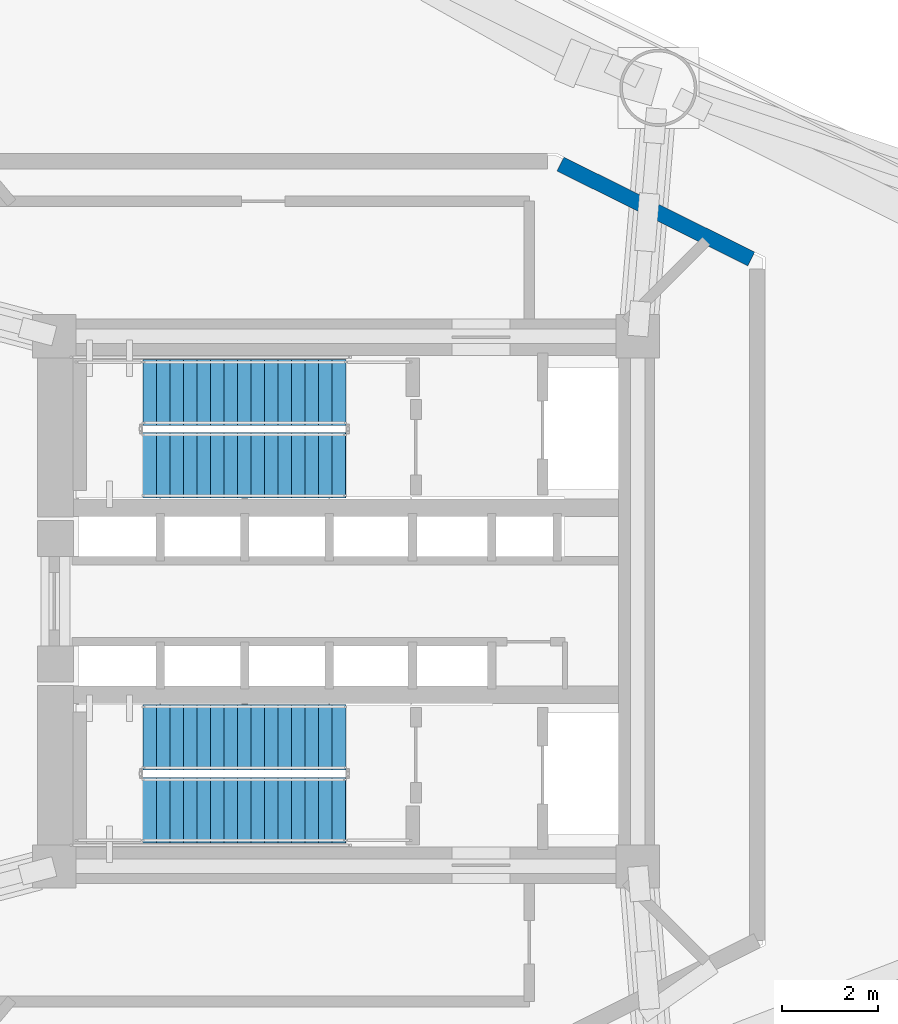
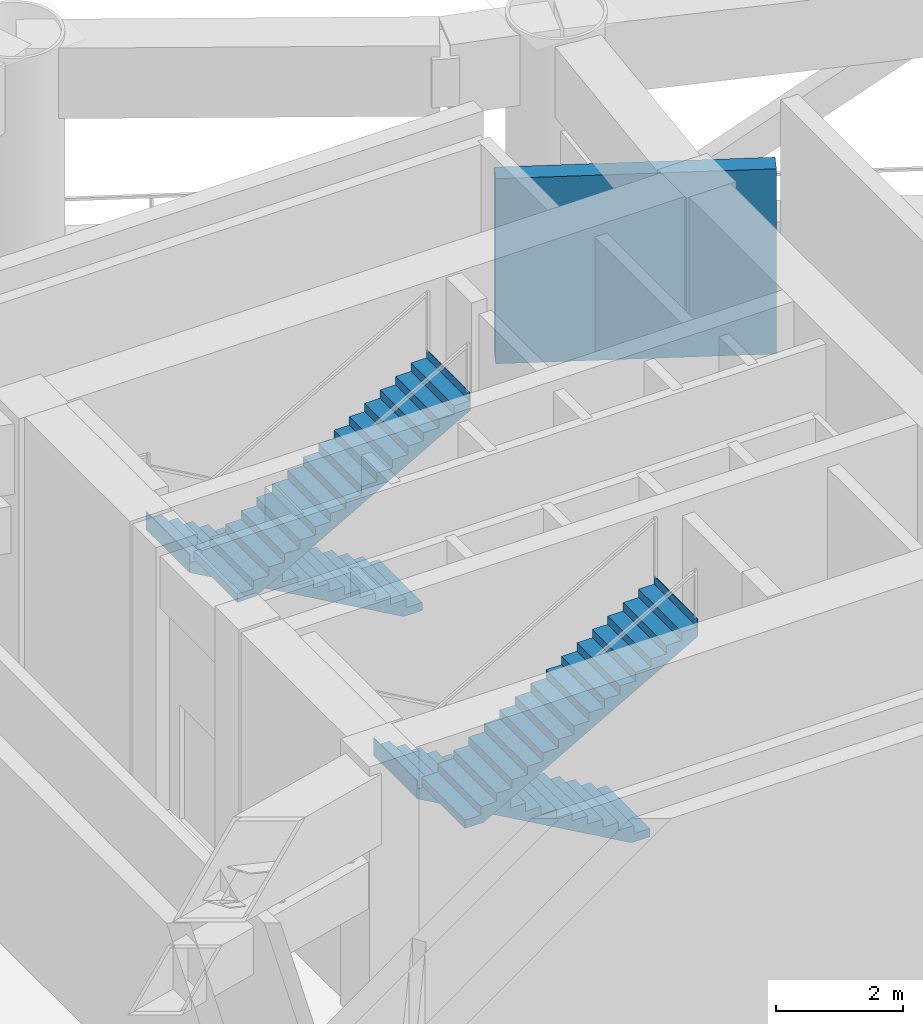
# One storey, part 5 of 8: 4 stair flights, 1 wall, 2 elements without a shape of their own.
"""IFC4 building model written with IfcOpenShell, lengths in metres."""

from ifc_helpers import new_model, si_unit, direction, frame, frame_2d, origin, place, context, subcontext, project, spatial, polyline, rectangle, outline, extrude, material, layer, layer_set, type_object, element, aggregate, save


model = new_model("IFC4")

# Units and contexts
model_context = context("Model", 3, precision=1e-05, world=origin(), true_north=direction((0.0, 1.0)))
body_context = subcontext(model_context, "Body", "Model", "MODEL_VIEW")
ifc_project = project(units=[si_unit("LENGTHUNIT", "METRE"), si_unit("AREAUNIT", "SQUARE_METRE"), si_unit("VOLUMEUNIT", "CUBIC_METRE"), si_unit("PLANEANGLEUNIT", "RADIAN"), si_unit("MASSUNIT", "GRAM", prefix="KILO")], contexts=[model_context])

# Site, building, storey
site_placement = place(None, origin())
site = spatial("IfcSite", under=ifc_project, at=site_placement, CompositionType="ELEMENT")
building_placement = place(site_placement, origin())
building = spatial("IfcBuilding", under=site, at=building_placement, Name="Yunling Apex Tower", CompositionType="ELEMENT")
storey_placement = place(building_placement, frame((0.0, 0.0, 49.699951171875)))
storey = spatial("IfcBuildingStorey", under=building, at=storey_placement, Name="RF1", CompositionType="ELEMENT", Elevation=49.699951171875)

# Wall
ifc_material_1 = material(Name="Precast concrete C40", Category="concrete")
ifc_layer = layer(ifc_material_1, 0.320068359375)
ifc_layer_set = layer_set([ifc_layer], Name="Precast concrete C40")
wall_type = type_object("IfcWallType", Name="WL-EXT-1", PredefinedType="SOLIDWALL", material=ifc_layer_set)
wall_placement = place(storey_placement, frame((4.446533203125, 9.067626953125, 0.0), z_axis=(0.0, 0.0, 1.0), x_axis=(0.895253931131, -0.445556280164, 0.0)))
element("IfcWall", 1, at=wall_placement, inside=storey, type_object=wall_type, Name="WL-RF1-IR-06", PredefinedType="SOLIDWALL", context=body_context, shape_type="SweptSolid", body=[
    extrude(rectangle(XDim=4.42138671875, YDim=0.320068359375, at=frame_2d((2.210693359375, 0.0))), origin(), (0.0, 0.0, 1.0), 3.550048828125),
])

# Stair, stair flights
ifc_material_2 = material(Name="Concrete C40", Category="concrete")
stair_type = type_object("IfcStairType", Name="ST-TWR-1", PredefinedType="HALF_TURN_STAIR", material=ifc_material_2)
stair_1_placement = place(storey_placement, origin())
stair_1 = element("IfcStair", 2, at=stair_1_placement, inside=storey, type_object=stair_type, Name="RF1 North Core Smokeproof Exit Stair ST-1", PredefinedType="HALF_TURN_STAIR")
stair_flight_type = type_object("IfcStairFlightType", Name="SFL-TWR-1", PredefinedType="STRAIGHT", material=ifc_material_2)
stair_flight_1_placement = place(storey_placement, frame((-0.010009765625, 4.330078125, 0.0), z_axis=(0.0, 0.0, 1.0), x_axis=(-1.0, 0.0, 0.0)))
stair_flight_1 = element("IfcStairFlight", 3, at=stair_flight_1_placement, type_object=stair_flight_type, Name="ST-1 flight 1", NumberOfRisers=16, NumberOfTreads=15, PredefinedType="STRAIGHT", RiserHeight=0.159375, TreadLength=0.28, context=body_context, shape_type="SweptSolid", body=[
    extrude(outline(polyline([(-0.011962890625, 0.0), (-0.011962890625, 0.159423828125), (0.0, 0.159423828125), (0.280029296875, 0.159423828125), (0.280029296875, 0.31884765625), (0.56005859375, 0.31884765625), (0.56005859375, 0.47802734375), (0.840087890625, 0.47802734375), (0.840087890625, 0.637451171875), (1.1201171875, 0.637451171875), (1.1201171875, 0.796875), (1.39990234375, 0.796875), (1.39990234375, 0.956298828125), (1.679931640625, 0.956298828125), (1.679931640625, 1.11572265625), (1.9599609375, 1.11572265625), (1.9599609375, 1.27490234375), (2.239990234375, 1.27490234375), (2.239990234375, 1.434326171875), (2.52001953125, 1.434326171875), (2.52001953125, 1.59375), (2.800048828125, 1.59375), (2.800048828125, 1.753173828125), (3.080078125, 1.753173828125), (3.080078125, 1.91259765625), (3.360107421875, 1.91259765625), (3.360107421875, 2.07177734375), (3.639892578125, 2.07177734375), (3.639892578125, 2.231201171875), (3.919921875, 2.231201171875), (3.919921875, 2.390625), (4.199951171875, 2.390625), (4.199951171875, 2.550048828125), (4.2119140625, 2.550048828125), (4.2119140625, 2.20654296875), (0.3232421875, 0.0), (-0.011962890625, 0.0)])), frame((0.0, 0.68017578125, 0.0), z_axis=(0.0, -1.0, 0.0), x_axis=(1.0, 0.0, 0.0)), (0.0, 0.0, 1.0), 1.360107421875),
])
stair_flight_2_placement = place(storey_placement, frame((-4.2099609375, 2.820068359375, 2.550048828125), z_axis=(0.0, 0.0, 1.0), x_axis=(1.0, 0.0, 0.0)))
stair_flight_2 = element("IfcStairFlight", 4, at=stair_flight_2_placement, type_object=stair_flight_type, Name="ST-1 flight 2", NumberOfRisers=16, NumberOfTreads=15, PredefinedType="STRAIGHT", RiserHeight=0.159375, TreadLength=0.28, context=body_context, shape_type="SweptSolid", body=[
    extrude(outline(polyline([(-0.011962890625, 0.0), (-0.011962890625, 0.159423828125), (0.0, 0.159423828125), (0.280029296875, 0.159423828125), (0.280029296875, 0.31884765625), (0.56005859375, 0.31884765625), (0.56005859375, 0.47802734375), (0.840087890625, 0.47802734375), (0.840087890625, 0.637451171875), (1.1201171875, 0.637451171875), (1.1201171875, 0.796875), (1.39990234375, 0.796875), (1.39990234375, 0.956298828125), (1.679931640625, 0.956298828125), (1.679931640625, 1.11572265625), (1.9599609375, 1.11572265625), (1.9599609375, 1.27490234375), (2.239990234375, 1.27490234375), (2.239990234375, 1.434326171875), (2.52001953125, 1.434326171875), (2.52001953125, 1.59375), (2.800048828125, 1.59375), (2.800048828125, 1.753173828125), (3.080078125, 1.753173828125), (3.080078125, 1.91259765625), (3.360107421875, 1.91259765625), (3.360107421875, 2.07177734375), (3.639892578125, 2.07177734375), (3.639892578125, 2.231201171875), (3.919921875, 2.231201171875), (3.919921875, 2.390625), (4.199951171875, 2.390625), (4.199951171875, 2.550048828125), (4.2119140625, 2.550048828125), (4.2119140625, 2.20654296875), (0.3232421875, 0.0), (-0.011962890625, 0.0)])), frame((0.0, 0.68017578125, 0.0), z_axis=(0.0, -1.0, 0.0), x_axis=(1.0, 0.0, 0.0)), (0.0, 0.0, 1.0), 1.360107421875),
])
aggregate(stair_1, [stair_flight_1, stair_flight_2])

stair_2_placement = place(storey_placement, origin())
stair_2 = element("IfcStair", 5, at=stair_2_placement, inside=storey, type_object=stair_type, Name="RF1 South Core Smokeproof Exit Stair ST-2", PredefinedType="HALF_TURN_STAIR")
stair_flight_3_placement = place(storey_placement, frame((-0.010009765625, -2.820068359375, 0.0), z_axis=(0.0, 0.0, 1.0), x_axis=(-1.0, 0.0, 0.0)))
stair_flight_3 = element("IfcStairFlight", 6, at=stair_flight_3_placement, type_object=stair_flight_type, Name="ST-2 flight 1", NumberOfRisers=16, NumberOfTreads=15, PredefinedType="STRAIGHT", RiserHeight=0.159375, TreadLength=0.28, context=body_context, shape_type="SweptSolid", body=[
    extrude(outline(polyline([(-0.011962890625, 0.0), (-0.011962890625, 0.159423828125), (0.0, 0.159423828125), (0.280029296875, 0.159423828125), (0.280029296875, 0.31884765625), (0.56005859375, 0.31884765625), (0.56005859375, 0.47802734375), (0.840087890625, 0.47802734375), (0.840087890625, 0.637451171875), (1.1201171875, 0.637451171875), (1.1201171875, 0.796875), (1.39990234375, 0.796875), (1.39990234375, 0.956298828125), (1.679931640625, 0.956298828125), (1.679931640625, 1.11572265625), (1.9599609375, 1.11572265625), (1.9599609375, 1.27490234375), (2.239990234375, 1.27490234375), (2.239990234375, 1.434326171875), (2.52001953125, 1.434326171875), (2.52001953125, 1.59375), (2.800048828125, 1.59375), (2.800048828125, 1.753173828125), (3.080078125, 1.753173828125), (3.080078125, 1.91259765625), (3.360107421875, 1.91259765625), (3.360107421875, 2.07177734375), (3.639892578125, 2.07177734375), (3.639892578125, 2.231201171875), (3.919921875, 2.231201171875), (3.919921875, 2.390625), (4.199951171875, 2.390625), (4.199951171875, 2.550048828125), (4.2119140625, 2.550048828125), (4.2119140625, 2.20654296875), (0.3232421875, 0.0), (-0.011962890625, 0.0)])), frame((0.0, 0.68017578125, 0.0), z_axis=(0.0, -1.0, 0.0), x_axis=(1.0, 0.0, 0.0)), (0.0, 0.0, 1.0), 1.360107421875),
])
stair_flight_4_placement = place(storey_placement, frame((-4.2099609375, -4.330078125, 2.550048828125), z_axis=(0.0, 0.0, 1.0), x_axis=(1.0, 0.0, 0.0)))
stair_flight_4 = element("IfcStairFlight", 7, at=stair_flight_4_placement, type_object=stair_flight_type, Name="ST-2 flight 2", NumberOfRisers=16, NumberOfTreads=15, PredefinedType="STRAIGHT", RiserHeight=0.159375, TreadLength=0.28, context=body_context, shape_type="SweptSolid", body=[
    extrude(outline(polyline([(-0.011962890625, 0.0), (-0.011962890625, 0.159423828125), (0.0, 0.159423828125), (0.280029296875, 0.159423828125), (0.280029296875, 0.31884765625), (0.56005859375, 0.31884765625), (0.56005859375, 0.47802734375), (0.840087890625, 0.47802734375), (0.840087890625, 0.637451171875), (1.1201171875, 0.637451171875), (1.1201171875, 0.796875), (1.39990234375, 0.796875), (1.39990234375, 0.956298828125), (1.679931640625, 0.956298828125), (1.679931640625, 1.11572265625), (1.9599609375, 1.11572265625), (1.9599609375, 1.27490234375), (2.239990234375, 1.27490234375), (2.239990234375, 1.434326171875), (2.52001953125, 1.434326171875), (2.52001953125, 1.59375), (2.800048828125, 1.59375), (2.800048828125, 1.753173828125), (3.080078125, 1.753173828125), (3.080078125, 1.91259765625), (3.360107421875, 1.91259765625), (3.360107421875, 2.07177734375), (3.639892578125, 2.07177734375), (3.639892578125, 2.231201171875), (3.919921875, 2.231201171875), (3.919921875, 2.390625), (4.199951171875, 2.390625), (4.199951171875, 2.550048828125), (4.2119140625, 2.550048828125), (4.2119140625, 2.20654296875), (0.3232421875, 0.0), (-0.011962890625, 0.0)])), frame((0.0, 0.68017578125, 0.0), z_axis=(0.0, -1.0, 0.0), x_axis=(1.0, 0.0, 0.0)), (0.0, 0.0, 1.0), 1.360107421875),
])
aggregate(stair_2, [stair_flight_3, stair_flight_4])

save(model, "model.ifc")
